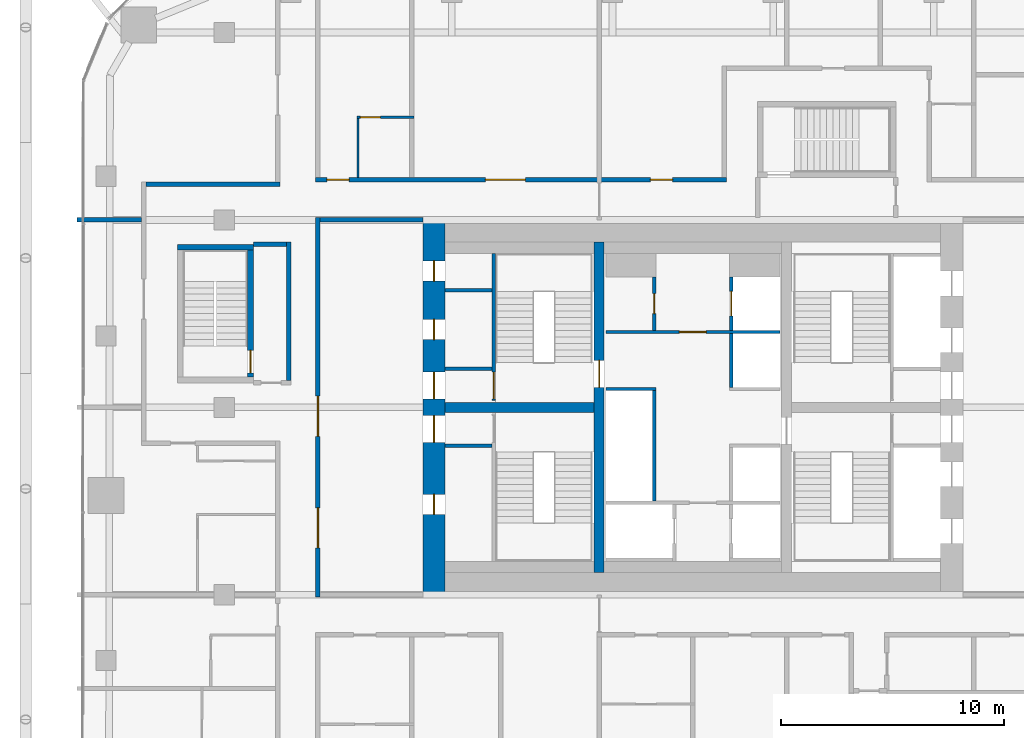
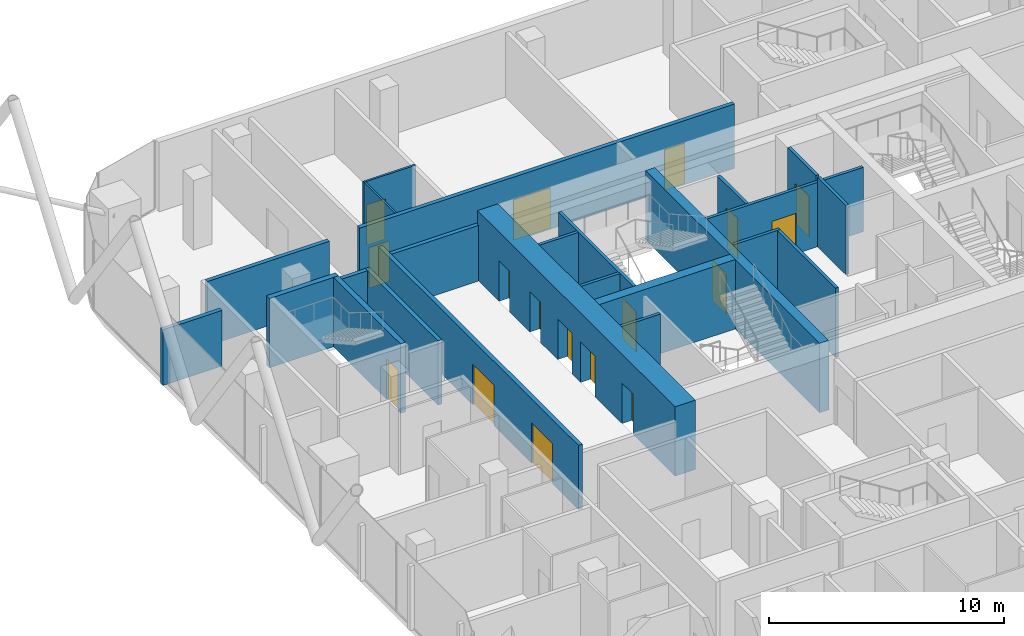
# One storey, part 28 of 33: 24 walls, 17 doors, 17 openings.
"""IFC4 building model written with IfcOpenShell, lengths in metres."""

from ifc_helpers import new_model, si_unit, direction, frame, frame_2d, origin, place, context, subcontext, project, spatial, rectangle, extrude, material, layer, layer_set, type_object, element, fill, save


model = new_model("IFC4")

# Units and contexts
model_context = context("Model", 3, precision=1e-05, world=origin(), true_north=direction((0.0, 1.0)))
body_context = subcontext(model_context, "Body", "Model", "MODEL_VIEW")
ifc_project = project(units=[si_unit("LENGTHUNIT", "METRE"), si_unit("AREAUNIT", "SQUARE_METRE"), si_unit("VOLUMEUNIT", "CUBIC_METRE"), si_unit("PLANEANGLEUNIT", "RADIAN"), si_unit("MASSUNIT", "GRAM", prefix="KILO")], contexts=[model_context])

# Site, building, storey
site_placement = place(None, origin())
site = spatial("IfcSite", under=ifc_project, at=site_placement, CompositionType="ELEMENT")
building_placement = place(site_placement, origin())
building = spatial("IfcBuilding", under=site, at=building_placement, Name="Marenta Gate Hotel Tower", CompositionType="ELEMENT")
storey_placement = place(building_placement, frame((0.0, 0.0, 151.699951171875)))
storey = spatial("IfcBuildingStorey", under=building, at=storey_placement, Name="L35", CompositionType="ELEMENT", Elevation=151.699951171875)

# Wall, openings, doors
ifc_material_1 = material(Name="Concrete blockwork", Category="masonry")
ifc_layer_1 = layer(ifc_material_1, 0.199951171875)
ifc_layer_set_1 = layer_set([ifc_layer_1], Name="Concrete blockwork")
wall_type_1 = type_object("IfcWallType", Name="Core boundary wall 200 REI 180", PredefinedType="PARTITIONING", material=ifc_layer_set_1)
wall_1_placement = place(storey_placement, frame((-16.800048828125, -0.10009765625, 0.0), z_axis=(0.0, 0.0, 1.0), x_axis=(0.0, 1.0, 0.0)))
wall_1 = element("IfcWall", 1, at=wall_1_placement, inside=storey, type_object=wall_type_1, Name="L35-CP-BW-W", PredefinedType="PARTITIONING", context=body_context, shape_type="SweptSolid", body=[
    extrude(rectangle(XDim=17.0, YDim=0.199951171875, at=frame_2d((8.5, 0.0))), origin(), (0.0, 0.0, 1.0), 3.340087890625),
])
opening_1_placement = place(wall_1_placement, frame((2.199951171875, 0.0, 0.0)))
opening_1 = element("IfcOpeningElement", 2, at=opening_1_placement, cuts=wall_1, Name="Opening ED-Wa-B", PredefinedType="OPENING", context=body_context, shape_type="SweptSolid", body=[
    extrude(rectangle(XDim=1.800048828125, YDim=2.10009765625, at=frame_2d((0.89990234375, 1.050048828125))), frame((0.0, 0.10009765625, 0.0), z_axis=(0.0, -1.0, 0.0), x_axis=(1.0, 0.0, 0.0)), (0.0, 0.0, 1.0), 0.199951171875),
])
opening_2_placement = place(wall_1_placement, frame((7.199951171875, 0.0, 0.0)))
opening_2 = element("IfcOpeningElement", 3, at=opening_2_placement, cuts=wall_1, Name="Opening ED-Wb-B", PredefinedType="OPENING", context=body_context, shape_type="SweptSolid", body=[
    extrude(rectangle(XDim=1.800048828125, YDim=2.10009765625, at=frame_2d((0.89990234375, 1.050048828125))), frame((0.0, 0.10009765625, 0.0), z_axis=(0.0, -1.0, 0.0), x_axis=(1.0, 0.0, 0.0)), (0.0, 0.0, 1.0), 0.199951171875),
])
ifc_material_2 = material(Name="Steel", Category="steel")
door_type_1 = type_object("IfcDoorType", Name="Core lobby entrance door 1800x2100 EI 60", OperationType="DOUBLE_DOOR_SINGLE_SWING", PredefinedType="DOOR", material=ifc_material_2)
door_1_placement = place(opening_1_placement, origin())
door_1 = element("IfcDoor", 4, at=door_1_placement, inside=storey, type_object=door_type_1, Name="ED-Wa-B", OperationType="DOUBLE_DOOR_SINGLE_SWING", OverallHeight=2.10009765625, OverallWidth=1.800048828125, PredefinedType="DOOR", context=body_context, shape_type="SweptSolid", body=[
    extrude(rectangle(XDim=1.800048828125, YDim=2.10009765625, at=frame_2d((0.89990234375, 1.050048828125))), frame((0.0, 0.02490234375, 0.0), z_axis=(0.0, -1.0, 0.0), x_axis=(1.0, 0.0, 0.0)), (0.0, 0.0, 1.0), 0.050048828125),
])
fill(opening_1, door_1)
door_2_placement = place(opening_2_placement, origin())
door_2 = element("IfcDoor", 5, at=door_2_placement, inside=storey, type_object=door_type_1, Name="ED-Wb-B", OperationType="DOUBLE_DOOR_SINGLE_SWING", OverallHeight=2.10009765625, OverallWidth=1.800048828125, PredefinedType="DOOR", context=body_context, shape_type="SweptSolid", body=[
    extrude(rectangle(XDim=1.800048828125, YDim=2.10009765625, at=frame_2d((0.89990234375, 1.050048828125))), frame((0.0, 0.02490234375, 0.0), z_axis=(0.0, -1.0, 0.0), x_axis=(1.0, 0.0, 0.0)), (0.0, 0.0, 1.0), 0.050048828125),
])
fill(opening_2, door_2)

# Wall
wall_2_placement = place(storey_placement, frame((-16.699951171875, 16.800048828125, 0.0), z_axis=(0.0, 0.0, 1.0), x_axis=(1.0, 0.0, 0.0)))
element("IfcWall", 6, at=wall_2_placement, inside=storey, type_object=wall_type_1, Name="L35-CP-EW-WN", PredefinedType="PARTITIONING", context=body_context, shape_type="SweptSolid", body=[
    extrude(rectangle(XDim=4.599853515625, YDim=0.199951171875, at=frame_2d((2.2998046875, 0.0))), origin(), (0.0, 0.0, 1.0), 2.89013671875),
])

# Wall, opening, door
ifc_material_3 = material(Name="Concrete blockwork", Category="masonry")
ifc_layer_2 = layer(ifc_material_3, 0.14990234375)
ifc_layer_set_2 = layer_set([ifc_layer_2], Name="Concrete blockwork")
wall_type_2 = type_object("IfcWallType", Name="Core lobby partition 150 REI 180", PredefinedType="PARTITIONING", material=ifc_layer_set_2)
wall_3_placement = place(storey_placement, frame((-3.89990234375, 11.77490234375, 0.0), z_axis=(0.0, 0.0, 1.0), x_axis=(1.0, 0.0, 0.0)))
wall_3 = element("IfcWall", 7, at=wall_3_placement, inside=storey, type_object=wall_type_2, Name="L35-CP-CW-N", PredefinedType="PARTITIONING", context=body_context, shape_type="SweptSolid", body=[
    extrude(rectangle(XDim=7.7998046875, YDim=0.14990234375, at=frame_2d((3.89990234375, 0.0))), origin(), (0.0, 0.0, 1.0), 3.340087890625),
])
opening_3_placement = place(wall_3_placement, frame((3.300048828125, 0.0, 0.0)))
opening_3 = element("IfcOpeningElement", 8, at=opening_3_placement, cuts=wall_3, Name="Opening FD-FFN", PredefinedType="OPENING", context=body_context, shape_type="SweptSolid", body=[
    extrude(rectangle(XDim=1.199951171875, YDim=2.10009765625, at=frame_2d((0.60009765625, 1.050048828125))), frame((0.0, 0.074951171875, 0.0), z_axis=(0.0, -1.0, 0.0), x_axis=(1.0, 0.0, 0.0)), (0.0, 0.0, 1.0), 0.14990234375),
])
ifc_material_4 = material(Name="Steel", Category="steel")
door_type_2 = type_object("IfcDoorType", Name="Core lobby door 1200x2100 FD60", OperationType="SINGLE_SWING_LEFT", PredefinedType="DOOR", material=ifc_material_4)
door_3_placement = place(opening_3_placement, origin())
door_3 = element("IfcDoor", 9, at=door_3_placement, inside=storey, type_object=door_type_2, Name="FD-FFN", OperationType="SINGLE_SWING_LEFT", OverallHeight=2.10009765625, OverallWidth=1.199951171875, PredefinedType="DOOR", context=body_context, shape_type="SweptSolid", body=[
    extrude(rectangle(XDim=1.199951171875, YDim=2.10009765625, at=frame_2d((0.60009765625, 1.050048828125))), frame((0.0, 0.02490234375, 0.0), z_axis=(0.0, -1.0, 0.0), x_axis=(1.0, 0.0, 0.0)), (0.0, 0.0, 1.0), 0.050048828125),
])
fill(opening_3, door_3)

# Walls
ifc_material_5 = material(Name="Concrete blockwork", Category="masonry")
ifc_layer_3 = layer(ifc_material_5, 0.14990234375)
ifc_layer_set_3 = layer_set([ifc_layer_3], Name="Concrete blockwork")
wall_type_3 = type_object("IfcWallType", Name="Core room partition 150 REI 180", PredefinedType="PARTITIONING", material=ifc_layer_set_3)
for number, where, z_axis, x_axis, name in (
    (10, (-11.10009765625, 6.675048828125, 0.0), (0.0, 0.0, 1.0), (1.0, 0.0, 0.0), "L35-CP-SW-WS-2"),
    (11, (-11.10009765625, 10.125, 0.0), (0.0, 0.0, 1.0), (1.0, 0.0, 0.0), "L35-CP-SW-WN-2"),
    (12, (-11.10009765625, 13.64990234375, 0.0), (0.0, 0.0, 1.0), (1.0, 0.0, 0.0), "L35-CP-RW-WN-1"),
):
    element("IfcWall", number, at=place(storey_placement, frame(where, z_axis=z_axis, x_axis=x_axis)), inside=storey, type_object=wall_type_3, Name=name, PredefinedType="PARTITIONING", context=body_context, shape_type="SweptSolid", body=[
        extrude(rectangle(XDim=2.10009765625, YDim=0.14990234375, at=frame_2d((1.050048828125, 0.0))), origin(), (0.0, 0.0, 1.0), 3.340087890625),
    ])

# Wall, opening, door
wall_4_placement = place(storey_placement, frame((-1.72509765625, 11.85009765625, 0.0), z_axis=(0.0, 0.0, 1.0), x_axis=(0.0, 1.0, 0.0)))
wall_4 = element("IfcWall", 13, at=wall_4_placement, inside=storey, type_object=wall_type_3, Name="L35-CP-CW-W-riser-front", PredefinedType="PARTITIONING", context=body_context, shape_type="SweptSolid", body=[
    extrude(rectangle(XDim=2.39990234375, YDim=0.14990234375, at=frame_2d((1.199951171875, 0.0))), origin(), (0.0, 0.0, 1.0), 3.340087890625),
])
opening_4_placement = place(wall_4_placement, frame((0.75, 0.0, 0.0)))
opening_4 = element("IfcOpeningElement", 14, at=opening_4_placement, cuts=wall_4, Name="Opening RD-CRISER", PredefinedType="OPENING", context=body_context, shape_type="SweptSolid", body=[
    extrude(rectangle(XDim=0.89990234375, YDim=2.10009765625, at=frame_2d((0.449951171875, 1.050048828125))), frame((0.0, 0.074951171875, 0.0), z_axis=(0.0, -1.0, 0.0), x_axis=(1.0, 0.0, 0.0)), (0.0, 0.0, 1.0), 0.14990234375),
])
ifc_material_6 = material(Name="Steel", Category="steel")
door_type_3 = type_object("IfcDoorType", Name="Core riser door 900x2100 FD60", OperationType="SINGLE_SWING_LEFT", PredefinedType="DOOR", material=ifc_material_6)
door_4_placement = place(opening_4_placement, origin())
door_4 = element("IfcDoor", 15, at=door_4_placement, inside=storey, type_object=door_type_3, Name="RD-CRISER", OperationType="SINGLE_SWING_LEFT", OverallHeight=2.10009765625, OverallWidth=0.89990234375, PredefinedType="DOOR", context=body_context, shape_type="SweptSolid", body=[
    extrude(rectangle(XDim=0.89990234375, YDim=2.10009765625, at=frame_2d((0.449951171875, 1.050048828125))), frame((0.0, 0.02490234375, 0.0), z_axis=(0.0, -1.0, 0.0), x_axis=(1.0, 0.0, 0.0)), (0.0, 0.0, 1.0), 0.050048828125),
])
fill(opening_4, door_4)

# Walls
ifc_material_7 = material(Name="Concrete C40", Category="concrete")
ifc_layer_4 = layer(ifc_material_7, 0.14990234375)
ifc_layer_set_4 = layer_set([ifc_layer_4], Name="Concrete C40")
wall_type_4 = type_object("IfcWallType", Name="Core shaft wall 150 REI 180", PredefinedType="SHEAR", material=ifc_layer_set_4)
wall_5_placement = place(storey_placement, frame((-1.72509765625, 4.199951171875, 0.0), z_axis=(0.0, 0.0, 1.0), x_axis=(0.0, 1.0, 0.0)))
element("IfcWall", 16, at=wall_5_placement, inside=storey, type_object=wall_type_4, Name="L35-SHF-CW-W-front", PredefinedType="SHEAR", context=body_context, shape_type="SweptSolid", body=[
    extrude(rectangle(XDim=4.949951171875, YDim=0.14990234375, at=frame_2d((2.47509765625, 0.0))), origin(), (0.0, 0.0, 1.0), 3.60009765625),
])
wall_6_placement = place(storey_placement, frame((-3.89990234375, 9.22509765625, 0.0), z_axis=(0.0, 0.0, 1.0), x_axis=(1.0, 0.0, 0.0)))
element("IfcWall", 17, at=wall_6_placement, inside=storey, type_object=wall_type_4, Name="L35-SHF-CW-W-sep", PredefinedType="SHEAR", context=body_context, shape_type="SweptSolid", body=[
    extrude(rectangle(XDim=2.25, YDim=0.14990234375, at=frame_2d((1.125, 0.0))), origin(), (0.0, 0.0, 1.0), 3.60009765625),
])

# Wall, opening, door
wall_7_placement = place(storey_placement, frame((1.72509765625, 11.85009765625, 0.0), z_axis=(0.0, 0.0, 1.0), x_axis=(0.0, 1.0, 0.0)))
wall_7 = element("IfcWall", 18, at=wall_7_placement, inside=storey, type_object=wall_type_4, Name="L35-SHF-CE-N-front2", PredefinedType="SHEAR", context=body_context, shape_type="SweptSolid", body=[
    extrude(rectangle(XDim=2.39990234375, YDim=0.14990234375, at=frame_2d((1.199951171875, 0.0))), origin(), (0.0, 0.0, 1.0), 3.60009765625),
])
opening_5_placement = place(wall_7_placement, frame((0.64990234375, 0.0, 0.0)))
opening_5 = element("IfcOpeningElement", 19, at=opening_5_placement, cuts=wall_7, Name="Opening LD-FF2", PredefinedType="OPENING", context=body_context, shape_type="SweptSolid", body=[
    extrude(rectangle(XDim=1.10009765625, YDim=2.10009765625, at=frame_2d((0.550048828125, 1.050048828125))), frame((0.0, 0.074951171875, 0.0), z_axis=(0.0, -1.0, 0.0), x_axis=(1.0, 0.0, 0.0)), (0.0, 0.0, 1.0), 0.14990234375),
])
ifc_material_8 = material(Name="Steel", Category="steel")
door_type_4 = type_object("IfcDoorType", Name="Core lift landing door 1100x2100 E 60", OperationType="SLIDING_TO_LEFT", PredefinedType="DOOR", material=ifc_material_8)
door_5_placement = place(opening_5_placement, origin())
door_5 = element("IfcDoor", 20, at=door_5_placement, inside=storey, type_object=door_type_4, Name="LD-FF2", OperationType="SLIDING_TO_LEFT", OverallHeight=2.10009765625, OverallWidth=1.10009765625, PredefinedType="DOOR", context=body_context, shape_type="SweptSolid", body=[
    extrude(rectangle(XDim=1.10009765625, YDim=2.10009765625, at=frame_2d((0.550048828125, 1.050048828125))), frame((0.0, 0.02490234375, 0.0), z_axis=(0.0, -1.0, 0.0), x_axis=(1.0, 0.0, 0.0)), (0.0, 0.0, 1.0), 0.050048828125),
])
fill(opening_5, door_5)

# Wall
wall_8_placement = place(storey_placement, frame((1.72509765625, 9.300048828125, 0.0), z_axis=(0.0, 0.0, 1.0), x_axis=(0.0, 1.0, 0.0)))
element("IfcWall", 21, at=wall_8_placement, inside=storey, type_object=wall_type_4, Name="L35-SHF-CE-front-2", PredefinedType="SHEAR", context=body_context, shape_type="SweptSolid", body=[
    extrude(rectangle(XDim=2.39990234375, YDim=0.14990234375, at=frame_2d((1.199951171875, 0.0))), origin(), (0.0, 0.0, 1.0), 3.60009765625),
])

# Wall, opening, door
ifc_material_9 = material(Name="Concrete C40", Category="concrete")
ifc_layer_5 = layer(ifc_material_9, 0.14990234375)
ifc_layer_set_5 = layer_set([ifc_layer_5], Name="Concrete C40")
wall_type_5 = type_object("IfcWallType", Name="Core stair enclosure wall 150 REI 180", PredefinedType="SHEAR", material=ifc_layer_set_5)
wall_9_placement = place(storey_placement, frame((-8.925048828125, 8.699951171875, 0.0), z_axis=(0.0, 0.0, 1.0), x_axis=(0.0, 1.0, 0.0)))
wall_9 = element("IfcWall", 22, at=wall_9_placement, inside=storey, type_object=wall_type_5, Name="L35-SHF-SW-WN-3", PredefinedType="SHEAR", context=body_context, shape_type="SweptSolid", body=[
    extrude(rectangle(XDim=6.60009765625, YDim=0.14990234375, at=frame_2d((3.300048828125, 0.0))), origin(), (0.0, 0.0, 1.0), 3.340087890625),
])
opening_6_placement = place(wall_9_placement, frame((0.074951171875, 0.0, 0.0)))
opening_6 = element("IfcOpeningElement", 23, at=opening_6_placement, cuts=wall_9, Name="Opening SD-WN", PredefinedType="OPENING", context=body_context, shape_type="SweptSolid", body=[
    extrude(rectangle(XDim=1.199951171875, YDim=2.10009765625, at=frame_2d((0.60009765625, 1.050048828125))), frame((0.0, 0.074951171875, 0.0), z_axis=(0.0, -1.0, 0.0), x_axis=(1.0, 0.0, 0.0)), (0.0, 0.0, 1.0), 0.14990234375),
])
ifc_material_10 = material(Name="Steel", Category="steel")
door_type_5 = type_object("IfcDoorType", Name="Core stair door 1200x2100 FD60", OperationType="SINGLE_SWING_LEFT", PredefinedType="DOOR", material=ifc_material_10)
door_6_placement = place(opening_6_placement, origin())
door_6 = element("IfcDoor", 24, at=door_6_placement, inside=storey, type_object=door_type_5, Name="SD-WN", OperationType="SINGLE_SWING_LEFT", OverallHeight=2.10009765625, OverallWidth=1.199951171875, PredefinedType="DOOR", context=body_context, shape_type="SweptSolid", body=[
    extrude(rectangle(XDim=1.199951171875, YDim=2.10009765625, at=frame_2d((0.60009765625, 1.050048828125))), frame((0.0, 0.02490234375, 0.0), z_axis=(0.0, -1.0, 0.0), x_axis=(1.0, 0.0, 0.0)), (0.0, 0.0, 1.0), 0.050048828125),
])
fill(opening_6, door_6)

# Wall, openings, doors
ifc_material_11 = material(Name="Concrete C70", Category="concrete")
ifc_layer_6 = layer(ifc_material_11, 1.0)
ifc_layer_set_6 = layer_set([ifc_layer_6], Name="Concrete C70")
wall_type_6 = type_object("IfcWallType", Name="Core wall 1000 C70", PredefinedType="SHEAR", material=ifc_layer_set_6)
wall_10_placement = place(storey_placement, frame((-11.60009765625, 0.0, 0.0), z_axis=(0.0, 0.0, 1.0), x_axis=(0.0, 1.0, 0.0)))
wall_10 = element("IfcWall", 25, at=wall_10_placement, inside=storey, type_object=wall_type_6, Name="L35-CORE-W", PredefinedType="SHEAR", context=body_context, shape_type="SweptSolid", body=[
    extrude(rectangle(XDim=16.800048828125, YDim=1.0, at=frame_2d((8.39990234375, 0.0))), origin(), (0.0, 0.0, 1.0), 3.60009765625),
])
opening_7_placement = place(wall_10_placement, frame((3.60009765625, 0.0, 0.0)))
opening_7 = element("IfcOpeningElement", 26, at=opening_7_placement, cuts=wall_10, Name="Opening RD-WS-1", PredefinedType="OPENING", context=body_context, shape_type="SweptSolid", body=[
    extrude(rectangle(XDim=0.89990234375, YDim=2.10009765625, at=frame_2d((0.449951171875, 1.050048828125))), frame((0.0, 0.5, 0.0), z_axis=(0.0, -1.0, 0.0), x_axis=(1.0, 0.0, 0.0)), (0.0, 0.0, 1.0), 1.0),
])
opening_8_placement = place(wall_10_placement, frame((6.824951171875, 0.0, 0.0)))
opening_8 = element("IfcOpeningElement", 27, at=opening_8_placement, cuts=wall_10, Name="Opening PD-WS", PredefinedType="OPENING", context=body_context, shape_type="SweptSolid", body=[
    extrude(rectangle(XDim=1.199951171875, YDim=2.10009765625, at=frame_2d((0.60009765625, 1.050048828125))), frame((0.0, 0.5, 0.0), z_axis=(0.0, -1.0, 0.0), x_axis=(1.0, 0.0, 0.0)), (0.0, 0.0, 1.0), 1.0),
])
opening_9_placement = place(wall_10_placement, frame((14.0625, 0.0, 0.0)))
opening_9 = element("IfcOpeningElement", 28, at=opening_9_placement, cuts=wall_10, Name="Opening RD-WN-1", PredefinedType="OPENING", context=body_context, shape_type="SweptSolid", body=[
    extrude(rectangle(XDim=0.89990234375, YDim=2.10009765625, at=frame_2d((0.449951171875, 1.050048828125))), frame((0.0, 0.5, 0.0), z_axis=(0.0, -1.0, 0.0), x_axis=(1.0, 0.0, 0.0)), (0.0, 0.0, 1.0), 1.0),
])
opening_10_placement = place(wall_10_placement, frame((11.4375, 0.0, 0.0)))
opening_10 = element("IfcOpeningElement", 29, at=opening_10_placement, cuts=wall_10, Name="Opening RD-WN-2", PredefinedType="OPENING", context=body_context, shape_type="SweptSolid", body=[
    extrude(rectangle(XDim=0.89990234375, YDim=2.10009765625, at=frame_2d((0.449951171875, 1.050048828125))), frame((0.0, 0.5, 0.0), z_axis=(0.0, -1.0, 0.0), x_axis=(1.0, 0.0, 0.0)), (0.0, 0.0, 1.0), 1.0),
])
opening_11_placement = place(wall_10_placement, frame((8.77490234375, 0.0, 0.0)))
opening_11 = element("IfcOpeningElement", 30, at=opening_11_placement, cuts=wall_10, Name="Opening PD-WN", PredefinedType="OPENING", context=body_context, shape_type="SweptSolid", body=[
    extrude(rectangle(XDim=1.199951171875, YDim=2.10009765625, at=frame_2d((0.60009765625, 1.050048828125))), frame((0.0, 0.5, 0.0), z_axis=(0.0, -1.0, 0.0), x_axis=(1.0, 0.0, 0.0)), (0.0, 0.0, 1.0), 1.0),
])
door_7_placement = place(opening_8_placement, origin())
door_7 = element("IfcDoor", 31, at=door_7_placement, inside=storey, type_object=door_type_2, Name="PD-WS", OperationType="SINGLE_SWING_LEFT", OverallHeight=2.10009765625, OverallWidth=1.199951171875, PredefinedType="DOOR", context=body_context, shape_type="SweptSolid", body=[
    extrude(rectangle(XDim=1.199951171875, YDim=2.10009765625, at=frame_2d((0.60009765625, 1.050048828125))), frame((0.0, 0.02490234375, 0.0), z_axis=(0.0, -1.0, 0.0), x_axis=(1.0, 0.0, 0.0)), (0.0, 0.0, 1.0), 0.050048828125),
])
fill(opening_8, door_7)
door_8_placement = place(opening_11_placement, origin())
door_8 = element("IfcDoor", 32, at=door_8_placement, inside=storey, type_object=door_type_2, Name="PD-WN", OperationType="SINGLE_SWING_LEFT", OverallHeight=2.10009765625, OverallWidth=1.199951171875, PredefinedType="DOOR", context=body_context, shape_type="SweptSolid", body=[
    extrude(rectangle(XDim=1.199951171875, YDim=2.10009765625, at=frame_2d((0.60009765625, 1.050048828125))), frame((0.0, 0.02490234375, 0.0), z_axis=(0.0, -1.0, 0.0), x_axis=(1.0, 0.0, 0.0)), (0.0, 0.0, 1.0), 0.050048828125),
])
fill(opening_11, door_8)
ifc_material_12 = material(Name="Steel", Category="steel")
door_type_6 = type_object("IfcDoorType", Name="Core service room door 900x2100 FD30S", OperationType="SINGLE_SWING_LEFT", PredefinedType="DOOR", material=ifc_material_12)
door_9_placement = place(opening_7_placement, origin())
door_9 = element("IfcDoor", 33, at=door_9_placement, inside=storey, type_object=door_type_6, Name="RD-WS-1", OperationType="SINGLE_SWING_LEFT", OverallHeight=2.10009765625, OverallWidth=0.89990234375, PredefinedType="DOOR", context=body_context, shape_type="SweptSolid", body=[
    extrude(rectangle(XDim=0.89990234375, YDim=2.10009765625, at=frame_2d((0.449951171875, 1.050048828125))), frame((0.0, 0.02490234375, 0.0), z_axis=(0.0, -1.0, 0.0), x_axis=(1.0, 0.0, 0.0)), (0.0, 0.0, 1.0), 0.050048828125),
])
fill(opening_7, door_9)
door_10_placement = place(opening_9_placement, origin())
door_10 = element("IfcDoor", 34, at=door_10_placement, inside=storey, type_object=door_type_6, Name="RD-WN-1", OperationType="SINGLE_SWING_LEFT", OverallHeight=2.10009765625, OverallWidth=0.89990234375, PredefinedType="DOOR", context=body_context, shape_type="SweptSolid", body=[
    extrude(rectangle(XDim=0.89990234375, YDim=2.10009765625, at=frame_2d((0.449951171875, 1.050048828125))), frame((0.0, 0.02490234375, 0.0), z_axis=(0.0, -1.0, 0.0), x_axis=(1.0, 0.0, 0.0)), (0.0, 0.0, 1.0), 0.050048828125),
])
fill(opening_9, door_10)
door_11_placement = place(opening_10_placement, origin())
door_11 = element("IfcDoor", 35, at=door_11_placement, inside=storey, type_object=door_type_6, Name="RD-WN-2", OperationType="SINGLE_SWING_LEFT", OverallHeight=2.10009765625, OverallWidth=0.89990234375, PredefinedType="DOOR", context=body_context, shape_type="SweptSolid", body=[
    extrude(rectangle(XDim=0.89990234375, YDim=2.10009765625, at=frame_2d((0.449951171875, 1.050048828125))), frame((0.0, 0.02490234375, 0.0), z_axis=(0.0, -1.0, 0.0), x_axis=(1.0, 0.0, 0.0)), (0.0, 0.0, 1.0), 0.050048828125),
])
fill(opening_10, door_11)

# Wall, opening, door
ifc_material_13 = material(Name="Concrete C70", Category="concrete")
ifc_layer_7 = layer(ifc_material_13, 0.449951171875)
ifc_layer_set_7 = layer_set([ifc_layer_7], Name="Concrete C70")
wall_type_7 = type_object("IfcWallType", Name="Core web 450 C70", PredefinedType="SHEAR", material=ifc_layer_set_7)
wall_11_placement = place(storey_placement, frame((-4.199951171875, 1.0, 0.0), z_axis=(0.0, 0.0, 1.0), x_axis=(0.0, 1.0, 0.0)))
wall_11 = element("IfcWall", 36, at=wall_11_placement, inside=storey, type_object=wall_type_7, Name="L35-CORE-W1", PredefinedType="SHEAR", context=body_context, shape_type="SweptSolid", body=[
    extrude(rectangle(XDim=14.800048828125, YDim=0.449951171875, at=frame_2d((7.39990234375, 0.0))), origin(), (0.0, 0.0, 1.0), 3.60009765625),
])
opening_12_placement = place(wall_11_placement, frame((8.300048828125, 0.0, 0.0)))
opening_12 = element("IfcOpeningElement", 37, at=opening_12_placement, cuts=wall_11, Name="Opening WD-W", PredefinedType="OPENING", context=body_context, shape_type="SweptSolid", body=[
    extrude(rectangle(XDim=1.199951171875, YDim=2.10009765625, at=frame_2d((0.60009765625, 1.050048828125))), frame((0.0, 0.22509765625, 0.0), z_axis=(0.0, -1.0, 0.0), x_axis=(1.0, 0.0, 0.0)), (0.0, 0.0, 1.0), 0.449951171875),
])
door_12_placement = place(opening_12_placement, origin())
door_12 = element("IfcDoor", 38, at=door_12_placement, inside=storey, type_object=door_type_5, Name="WD-W", OperationType="SINGLE_SWING_LEFT", OverallHeight=2.10009765625, OverallWidth=1.199951171875, PredefinedType="DOOR", context=body_context, shape_type="SweptSolid", body=[
    extrude(rectangle(XDim=1.199951171875, YDim=2.10009765625, at=frame_2d((0.60009765625, 1.050048828125))), frame((0.0, 0.02490234375, 0.0), z_axis=(0.0, -1.0, 0.0), x_axis=(1.0, 0.0, 0.0)), (0.0, 0.0, 1.0), 0.050048828125),
])
fill(opening_12, door_12)

# Walls
wall_12_placement = place(storey_placement, frame((-11.10009765625, 8.39990234375, 0.0), z_axis=(0.0, 0.0, 1.0), x_axis=(1.0, 0.0, 0.0)))
element("IfcWall", 39, at=wall_12_placement, inside=storey, type_object=wall_type_7, Name="L35-CORE-W3", PredefinedType="SHEAR", context=body_context, shape_type="SweptSolid", body=[
    extrude(rectangle(XDim=6.675048828125, YDim=0.449951171875, at=frame_2d((3.33740234375, 0.0))), origin(), (0.0, 0.0, 1.0), 3.60009765625),
])
ifc_material_14 = material(Name="Concrete C40", Category="concrete")
ifc_layer_8 = layer(ifc_material_14, 0.25)
ifc_layer_set_8 = layer_set([ifc_layer_8], Name="Concrete C40")
wall_type_8 = type_object("IfcWallType", Name="Remote stair enclosure wall 250 REI 180", PredefinedType="SHEAR", material=ifc_layer_set_8)
wall_13_placement = place(storey_placement, frame((-23.10009765625, 15.574951171875, 0.10009765625), z_axis=(0.0, 0.0, 1.0), x_axis=(1.0, 0.0, 0.0)))
element("IfcWall", 40, at=wall_13_placement, inside=storey, type_object=wall_type_8, Name="L35-RS-Z1-3-W2", PredefinedType="SHEAR", context=body_context, shape_type="SweptSolid", body=[
    extrude(rectangle(XDim=3.400146484375, YDim=0.25, at=frame_2d((1.7001953125, 0.0))), origin(), (0.0, 0.0, 1.0), 3.599853515625),
])

# Wall, opening, door
wall_14_placement = place(storey_placement, frame((-19.824951171875, 9.75, 0.10009765625), z_axis=(0.0, 0.0, 1.0), x_axis=(0.0, 1.0, 0.0)))
wall_14 = element("IfcWall", 41, at=wall_14_placement, inside=storey, type_object=wall_type_8, Name="L35-RS-Z1-3-W4", PredefinedType="SHEAR", context=body_context, shape_type="SweptSolid", body=[
    extrude(rectangle(XDim=5.699951171875, YDim=0.25, at=frame_2d((2.85009765625, 0.0))), origin(), (0.0, 0.0, 1.0), 3.599853515625),
])
opening_13_placement = place(wall_14_placement, frame((0.199951171875, 0.0, 0.0)))
opening_13 = element("IfcOpeningElement", 42, at=opening_13_placement, cuts=wall_14, Name="Opening VD", PredefinedType="OPENING", context=body_context, shape_type="SweptSolid", body=[
    extrude(rectangle(XDim=1.0, YDim=2.10009765625, at=frame_2d((0.5, 1.050048828125))), frame((0.0, 0.125, 0.0), z_axis=(0.0, -1.0, 0.0), x_axis=(1.0, 0.0, 0.0)), (0.0, 0.0, 1.0), 0.25),
])
ifc_material_15 = material(Name="Steel", Category="steel")
door_type_7 = type_object("IfcDoorType", Name="Stair vestibule door 1000x2100 FD60", OperationType="SINGLE_SWING_LEFT", PredefinedType="DOOR", material=ifc_material_15)
door_13_placement = place(opening_13_placement, origin())
door_13 = element("IfcDoor", 43, at=door_13_placement, inside=storey, type_object=door_type_7, Name="VD", OperationType="SINGLE_SWING_LEFT", OverallHeight=2.10009765625, OverallWidth=1.0, PredefinedType="DOOR", context=body_context, shape_type="SweptSolid", body=[
    extrude(rectangle(XDim=1.0, YDim=2.10009765625, at=frame_2d((0.5, 1.050048828125))), frame((0.0, 0.02490234375, 0.0), z_axis=(0.0, -1.0, 0.0), x_axis=(1.0, 0.0, 0.0)), (0.0, 0.0, 1.0), 0.050048828125),
])
fill(opening_13, door_13)

# Wall
ifc_material_16 = material(Name="Gypsum board on steel stud", Category="steel")
ifc_layer_9 = layer(ifc_material_16, 0.199951171875)
ifc_layer_set_9 = layer_set([ifc_layer_9], Name="Gypsum board on steel stud")
wall_type_9 = type_object("IfcWallType", Name="Room corridor wall 200 EI 60", PredefinedType="PARTITIONING", material=ifc_layer_set_9)
wall_15_placement = place(storey_placement, frame((-24.5, 18.39990234375, 0.0), z_axis=(0.0, 0.0, 1.0), x_axis=(1.0, 0.0, 0.0)))
element("IfcWall", 44, at=wall_15_placement, inside=storey, type_object=wall_type_9, Name="L35-PTN-W100", PredefinedType="PARTITIONING", context=body_context, shape_type="SweptSolid", body=[
    extrude(rectangle(XDim=6.0, YDim=0.199951171875, at=frame_2d((3.0, 0.0))), origin(), (0.0, 0.0, 1.0), 3.340087890625),
])

# Wall, openings, doors
wall_16_placement = place(storey_placement, frame((-16.89990234375, 18.60009765625, 0.0), z_axis=(0.0, 0.0, 1.0), x_axis=(1.0, 0.0, 0.0)))
wall_16 = element("IfcWall", 45, at=wall_16_placement, inside=storey, type_object=wall_type_9, Name="L35-PTN-W103", PredefinedType="PARTITIONING", context=body_context, shape_type="SweptSolid", body=[
    extrude(rectangle(XDim=18.39990234375, YDim=0.199951171875, at=frame_2d((9.199951171875, 0.0))), origin(), (0.0, 0.0, 1.0), 3.340087890625),
])
opening_14_placement = place(wall_16_placement, frame((0.5, 0.0, 0.0)))
opening_14 = element("IfcOpeningElement", 46, at=opening_14_placement, cuts=wall_16, Name="Opening G13-23", PredefinedType="OPENING", context=body_context, shape_type="SweptSolid", body=[
    extrude(rectangle(XDim=1.0, YDim=2.10009765625, at=frame_2d((0.5, 1.050048828125))), frame((0.0, 0.10009765625, 0.0), z_axis=(0.0, -1.0, 0.0), x_axis=(1.0, 0.0, 0.0)), (0.0, 0.0, 1.0), 0.199951171875),
])
opening_15_placement = place(wall_16_placement, frame((7.60009765625, 0.0, 0.0)))
opening_15 = element("IfcOpeningElement", 47, at=opening_15_placement, cuts=wall_16, Name="Opening G13-25", PredefinedType="OPENING", context=body_context, shape_type="SweptSolid", body=[
    extrude(rectangle(XDim=1.800048828125, YDim=2.10009765625, at=frame_2d((0.89990234375, 1.050048828125))), frame((0.0, 0.10009765625, 0.0), z_axis=(0.0, -1.0, 0.0), x_axis=(1.0, 0.0, 0.0)), (0.0, 0.0, 1.0), 0.199951171875),
])
opening_16_placement = place(wall_16_placement, frame((15.0, 0.0, 0.0)))
opening_16 = element("IfcOpeningElement", 48, at=opening_16_placement, cuts=wall_16, Name="Opening G13-62", PredefinedType="OPENING", context=body_context, shape_type="SweptSolid", body=[
    extrude(rectangle(XDim=1.0, YDim=2.10009765625, at=frame_2d((0.5, 1.050048828125))), frame((0.0, 0.10009765625, 0.0), z_axis=(0.0, -1.0, 0.0), x_axis=(1.0, 0.0, 0.0)), (0.0, 0.0, 1.0), 0.199951171875),
])
ifc_material_17 = material(Name="Timber door leaf", Category="wood")
door_type_8 = type_object("IfcDoorType", Name="Guest room door 1000x2100 EI 30", OperationType="NOTDEFINED", PredefinedType="DOOR", material=ifc_material_17)
door_14_placement = place(opening_14_placement, origin())
door_14 = element("IfcDoor", 49, at=door_14_placement, inside=storey, type_object=door_type_8, Name="L35-PD-D023", OperationType="SINGLE_SWING_RIGHT", OverallHeight=2.10009765625, OverallWidth=1.0, PredefinedType="DOOR", context=body_context, shape_type="SweptSolid", body=[
    extrude(rectangle(XDim=1.0, YDim=2.10009765625, at=frame_2d((0.5, 1.050048828125))), frame((0.0, 0.02490234375, 0.0), z_axis=(0.0, -1.0, 0.0), x_axis=(1.0, 0.0, 0.0)), (0.0, 0.0, 1.0), 0.050048828125),
])
fill(opening_14, door_14)
ifc_material_18 = material(Name="Timber door leaf", Category="wood")
door_type_9 = type_object("IfcDoorType", Name="Room amenity door 1000x2100 EI 30", OperationType="NOTDEFINED", PredefinedType="DOOR", material=ifc_material_18)
door_15_placement = place(opening_16_placement, origin())
door_15 = element("IfcDoor", 50, at=door_15_placement, inside=storey, type_object=door_type_9, Name="L35-PD-D062", OperationType="SINGLE_SWING_LEFT", OverallHeight=2.10009765625, OverallWidth=1.0, PredefinedType="DOOR", context=body_context, shape_type="SweptSolid", body=[
    extrude(rectangle(XDim=1.0, YDim=2.10009765625, at=frame_2d((0.5, 1.050048828125))), frame((0.0, 0.02490234375, 0.0), z_axis=(0.0, -1.0, 0.0), x_axis=(1.0, 0.0, 0.0)), (0.0, 0.0, 1.0), 0.050048828125),
])
fill(opening_16, door_15)
ifc_material_19 = material(Name="Timber door leaf", Category="wood")
door_type_10 = type_object("IfcDoorType", Name="Room amenity door 1800x2100 EI 30", OperationType="DOUBLE_DOOR_SINGLE_SWING", PredefinedType="DOOR", material=ifc_material_19)
door_16_placement = place(opening_15_placement, origin())
door_16 = element("IfcDoor", 51, at=door_16_placement, inside=storey, type_object=door_type_10, Name="L35-PD-D025", OperationType="DOUBLE_DOOR_SINGLE_SWING", OverallHeight=2.10009765625, OverallWidth=1.800048828125, PredefinedType="DOOR", context=body_context, shape_type="SweptSolid", body=[
    extrude(rectangle(XDim=1.800048828125, YDim=2.10009765625, at=frame_2d((0.89990234375, 1.050048828125))), frame((0.0, 0.02490234375, 0.0), z_axis=(0.0, -1.0, 0.0), x_axis=(1.0, 0.0, 0.0)), (0.0, 0.0, 1.0), 0.050048828125),
])
fill(opening_15, door_16)

# Walls
ifc_material_20 = material(Name="Concrete blockwork", Category="masonry")
ifc_layer_10 = layer(ifc_material_20, 0.199951171875)
ifc_layer_set_10 = layer_set([ifc_layer_10], Name="Concrete blockwork")
wall_type_10 = type_object("IfcWallType", Name="Room corridor wall 200 REI 180", PredefinedType="PARTITIONING", material=ifc_layer_set_10)
wall_17_placement = place(storey_placement, frame((-19.699951171875, 15.699951171875, 0.0), z_axis=(0.0, 0.0, 1.0), x_axis=(1.0, 0.0, 0.0)))
element("IfcWall", 52, at=wall_17_placement, inside=storey, type_object=wall_type_10, Name="L35-PTN-W093", PredefinedType="PARTITIONING", context=body_context, shape_type="SweptSolid", body=[
    extrude(rectangle(XDim=1.5, YDim=0.199951171875, at=frame_2d((0.75, 0.0))), origin(), (0.0, 0.0, 1.0), 3.340087890625),
])
wall_18_placement = place(storey_placement, frame((-18.10009765625, 9.60009765625, 0.0), z_axis=(0.0, 0.0, 1.0), x_axis=(0.0, 1.0, 0.0)))
element("IfcWall", 53, at=wall_18_placement, inside=storey, type_object=wall_type_10, Name="L35-PTN-W099", PredefinedType="PARTITIONING", context=body_context, shape_type="SweptSolid", body=[
    extrude(rectangle(XDim=6.199951171875, YDim=0.199951171875, at=frame_2d((3.10009765625, 0.0))), origin(), (0.0, 0.0, 1.0), 3.340087890625),
])
ifc_material_21 = material(Name="Gypsum board on steel stud", Category="steel")
ifc_layer_11 = layer(ifc_material_21, 0.10009765625)
ifc_layer_set_11 = layer_set([ifc_layer_11], Name="Gypsum board on steel stud")
wall_type_11 = type_object("IfcWallType", Name="Room partition 100", PredefinedType="PARTITIONING", material=ifc_layer_set_11)
wall_19_placement = place(storey_placement, frame((-15.0, 18.699951171875, 0.0), z_axis=(0.0, 0.0, 1.0), x_axis=(0.0, 1.0, 0.0)))
element("IfcWall", 54, at=wall_19_placement, inside=storey, type_object=wall_type_11, Name="L35-PTN-W092", PredefinedType="PARTITIONING", context=body_context, shape_type="SweptSolid", body=[
    extrude(rectangle(XDim=2.650146484375, YDim=0.10009765625, at=frame_2d((1.3251953125, 0.0))), origin(), (0.0, 0.0, 1.0), 3.340087890625),
])

# Wall, opening, door
wall_20_placement = place(storey_placement, frame((-15.050048828125, 21.39990234375, 0.0), z_axis=(0.0, 0.0, 1.0), x_axis=(1.0, 0.0, 0.0)))
wall_20 = element("IfcWall", 55, at=wall_20_placement, inside=storey, type_object=wall_type_11, Name="L35-PTN-W106", PredefinedType="PARTITIONING", context=body_context, shape_type="SweptSolid", body=[
    extrude(rectangle(XDim=2.550048828125, YDim=0.10009765625, at=frame_2d((1.27490234375, 0.0))), origin(), (0.0, 0.0, 1.0), 3.340087890625),
])
opening_17_placement = place(wall_20_placement, frame((0.14990234375, 0.0, 0.0)))
opening_17 = element("IfcOpeningElement", 56, at=opening_17_placement, cuts=wall_20, Name="Opening G13-24", PredefinedType="OPENING", context=body_context, shape_type="SweptSolid", body=[
    extrude(rectangle(XDim=0.89990234375, YDim=2.10009765625, at=frame_2d((0.449951171875, 1.050048828125))), frame((0.0, 0.050048828125, 0.0), z_axis=(0.0, -1.0, 0.0), x_axis=(1.0, 0.0, 0.0)), (0.0, 0.0, 1.0), 0.10009765625),
])
ifc_material_22 = material(Name="Timber door leaf", Category="wood")
door_type_11 = type_object("IfcDoorType", Name="Guest bathroom door 900x2100", OperationType="NOTDEFINED", PredefinedType="DOOR", material=ifc_material_22)
door_17_placement = place(opening_17_placement, origin())
door_17 = element("IfcDoor", 57, at=door_17_placement, inside=storey, type_object=door_type_11, Name="L35-PD-D024", OperationType="SINGLE_SWING_RIGHT", OverallHeight=2.10009765625, OverallWidth=0.89990234375, PredefinedType="DOOR", context=body_context, shape_type="SweptSolid", body=[
    extrude(rectangle(XDim=0.89990234375, YDim=2.10009765625, at=frame_2d((0.449951171875, 1.050048828125))), frame((0.0, 0.02490234375, 0.0), z_axis=(0.0, -1.0, 0.0), x_axis=(1.0, 0.0, 0.0)), (0.0, 0.0, 1.0), 0.050048828125),
])
fill(opening_17, door_17)

# Wall
ifc_material_23 = material(Name="Gypsum board on steel stud", Category="steel")
ifc_layer_12 = layer(ifc_material_23, 0.199951171875)
ifc_layer_set_12 = layer_set([ifc_layer_12], Name="Gypsum board on steel stud")
wall_type_12 = type_object("IfcWallType", Name="Room party wall 200 EI 60", PredefinedType="PARTITIONING", material=ifc_layer_set_12)
wall_21_placement = place(storey_placement, frame((-27.60009765625, 16.800048828125, 0.0), z_axis=(0.0, 0.0, 1.0), x_axis=(1.0, 0.0, 0.0)))
element("IfcWall", 58, at=wall_21_placement, inside=storey, type_object=wall_type_12, Name="L35-PTN-W097", PredefinedType="PARTITIONING", context=body_context, shape_type="SweptSolid", body=[
    extrude(rectangle(XDim=2.900146484375, YDim=0.199951171875, at=frame_2d((1.4501953125, 0.0))), origin(), (0.0, 0.0, 1.0), 2.89013671875),
])

save(model, "model.ifc")
